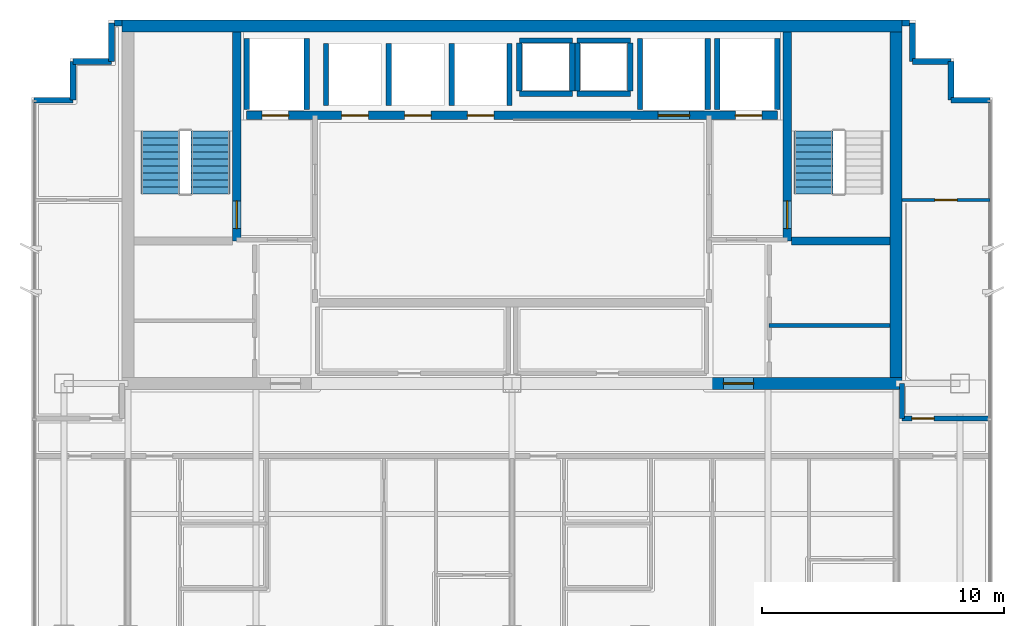
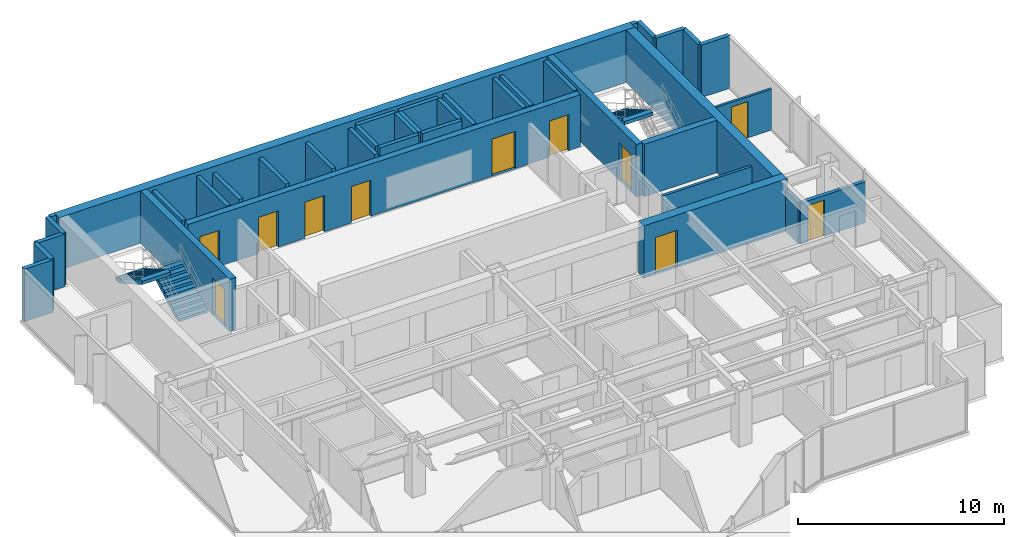
# One storey, part 9 of 12: 39 walls, 11 doors, 3 stair flights, 11 openings, 2 elements without a shape of their own.
"""IFC4 building model written with IfcOpenShell, lengths in metres."""

from ifc_helpers import new_model, si_unit, direction, frame, frame_2d, origin, place, context, subcontext, project, spatial, polyline, rectangle, outline, extrude, material, layer, layer_set, type_object, element, fill, aggregate, save


model = new_model("IFC4")

# Units and contexts
model_context = context("Model", 3, precision=1e-05, world=origin(), true_north=direction((0.0, 1.0)))
body_context = subcontext(model_context, "Body", "Model", "MODEL_VIEW")
ifc_project = project(units=[si_unit("LENGTHUNIT", "METRE"), si_unit("AREAUNIT", "SQUARE_METRE"), si_unit("VOLUMEUNIT", "CUBIC_METRE"), si_unit("PLANEANGLEUNIT", "RADIAN"), si_unit("MASSUNIT", "GRAM", prefix="KILO")], contexts=[model_context])

# Site, building, storey
site_placement = place(None, origin())
site = spatial("IfcSite", under=ifc_project, at=site_placement, CompositionType="ELEMENT")
building_placement = place(site_placement, origin())
building = spatial("IfcBuilding", under=site, at=building_placement, Name="Qianlan Lanfeng Residences", CompositionType="ELEMENT")
storey_placement = place(building_placement, frame((0.0, 0.0, 219.800048828125)))
storey = spatial("IfcBuildingStorey", under=building, at=storey_placement, Name="L60", CompositionType="ELEMENT", Elevation=219.800048828125)

# Wall, opening, door
ifc_material_1 = material(Name="Concrete C49", Category="concrete")
ifc_layer_1 = layer(ifc_material_1, 0.35009765625)
ifc_layer_set_1 = layer_set([ifc_layer_1], Name="Concrete C49")
wall_type_1 = type_object("IfcWallType", Name="CW-RC-350", PredefinedType="SHEAR", material=ifc_layer_set_1)
wall_1_placement = place(storey_placement, frame((15.10009765625, 31.10009765625, 0.0), z_axis=(0.0, 0.0, 1.0), x_axis=(0.0, 1.0, 0.0)))
wall_1 = element("IfcWall", 1, at=wall_1_placement, inside=storey, type_object=wall_type_1, Name="L60 Core Shear Wall ST1E", PredefinedType="SHEAR", context=body_context, shape_type="SweptSolid", body=[
    extrude(rectangle(XDim=8.64990234375, YDim=0.35009765625, at=frame_2d((4.324951171875, 0.0))), origin(), (0.0, 0.0, 1.0), 3.10986328125),
])
opening_1_placement = place(wall_1_placement, frame((0.510009765625, 0.0, 0.0)))
opening_1 = element("IfcOpeningElement", 2, at=opening_1_placement, cuts=wall_1, Name="Opening L60-D07", PredefinedType="OPENING", context=body_context, shape_type="SweptSolid", body=[
    extrude(rectangle(XDim=1.14990234375, YDim=2.199951171875, at=frame_2d((0.574951171875, 1.10009765625))), frame((0.0, 0.18505859375, 0.0), z_axis=(0.0, -1.0, 0.0), x_axis=(1.0, 0.0, 0.0)), (0.0, 0.0, 1.0), 0.3701171875),
])
ifc_material_2 = material(Name="Painted Galvanised Steel Fire Door", Category="steel")
door_type_1 = type_object("IfcDoorType", Name="DT-ST1", OperationType="NOTDEFINED", PredefinedType="DOOR", material=ifc_material_2)
door_1_placement = place(opening_1_placement, frame((1.14990234375, 0.0, 0.0), z_axis=(0.0, 0.0, 1.0), x_axis=(-1.0, 0.0, 0.0)))
door_1 = element("IfcDoor", 3, at=door_1_placement, inside=storey, type_object=door_type_1, Name="L60 Exit Stair ST-1 Door L60-D07 (DT-ST1)", OperationType="SINGLE_SWING_RIGHT", OverallHeight=2.199951171875, OverallWidth=1.14990234375, PredefinedType="DOOR", context=body_context, shape_type="SweptSolid", body=[
    extrude(rectangle(XDim=1.14990234375, YDim=2.199951171875, at=frame_2d((0.574951171875, 1.10009765625))), frame((0.0, 0.02490234375, 0.0), z_axis=(0.0, -1.0, 0.0), x_axis=(1.0, 0.0, 0.0)), (0.0, 0.0, 1.0), 0.050048828125),
])
fill(opening_1, door_1)

wall_2_placement = place(storey_placement, frame((37.89990234375, 31.10009765625, 0.0), z_axis=(0.0, 0.0, 1.0), x_axis=(0.0, 1.0, 0.0)))
wall_2 = element("IfcWall", 4, at=wall_2_placement, inside=storey, type_object=wall_type_1, Name="L60 Core Shear Wall ST2W", PredefinedType="SHEAR", context=body_context, shape_type="SweptSolid", body=[
    extrude(rectangle(XDim=8.64990234375, YDim=0.35009765625, at=frame_2d((4.324951171875, 0.0))), origin(), (0.0, 0.0, 1.0), 3.10986328125),
])
opening_2_placement = place(wall_2_placement, frame((0.510009765625, 0.0, 0.0)))
opening_2 = element("IfcOpeningElement", 5, at=opening_2_placement, cuts=wall_2, Name="Opening L60-D08", PredefinedType="OPENING", context=body_context, shape_type="SweptSolid", body=[
    extrude(rectangle(XDim=1.14990234375, YDim=2.199951171875, at=frame_2d((0.574951171875, 1.10009765625))), frame((0.0, 0.18505859375, 0.0), z_axis=(0.0, -1.0, 0.0), x_axis=(1.0, 0.0, 0.0)), (0.0, 0.0, 1.0), 0.3701171875),
])
door_2_placement = place(opening_2_placement, origin())
door_2 = element("IfcDoor", 6, at=door_2_placement, inside=storey, type_object=door_type_1, Name="L60 Exit Stair ST-2 Door L60-D08 (DT-ST1)", OperationType="SINGLE_SWING_RIGHT", OverallHeight=2.199951171875, OverallWidth=1.14990234375, PredefinedType="DOOR", context=body_context, shape_type="SweptSolid", body=[
    extrude(rectangle(XDim=1.14990234375, YDim=2.199951171875, at=frame_2d((0.574951171875, 1.10009765625))), frame((0.0, 0.02490234375, 0.0), z_axis=(0.0, -1.0, 0.0), x_axis=(1.0, 0.0, 0.0)), (0.0, 0.0, 1.0), 0.050048828125),
])
fill(opening_2, door_2)

# Wall
wall_3_placement = place(storey_placement, frame((38.074951171875, 31.10009765625, 0.0), z_axis=(0.0, 0.0, 1.0), x_axis=(1.0, 0.0, 0.0)))
element("IfcWall", 7, at=wall_3_placement, inside=storey, type_object=wall_type_1, Name="L60 Core Shear Wall ST2S", PredefinedType="SHEAR", context=body_context, shape_type="SweptSolid", body=[
    extrude(rectangle(XDim=4.074951171875, YDim=0.35009765625, at=frame_2d((2.03759765625, 0.0))), origin(), (0.0, 0.0, 1.0), 3.10986328125),
])

# Wall, openings, doors
wall_4_placement = place(storey_placement, frame((15.5, 36.300048828125, 0.0), z_axis=(0.0, 0.0, 1.0), x_axis=(1.0, 0.0, 0.0)))
wall_4 = element("IfcWall", 8, at=wall_4_placement, inside=storey, type_object=wall_type_1, Name="L60 Core Shear Wall LBN", PredefinedType="SHEAR", context=body_context, shape_type="SweptSolid", body=[
    extrude(rectangle(XDim=22.0, YDim=0.35009765625, at=frame_2d((11.0, 0.0))), origin(), (0.0, 0.0, 1.0), 3.10986328125),
])
opening_3_placement = place(wall_4_placement, frame((0.64990234375, 0.0, 0.0)))
opening_3 = element("IfcOpeningElement", 9, at=opening_3_placement, cuts=wall_4, Name="Opening L60-LD-FFL-1", PredefinedType="OPENING", context=body_context, shape_type="SweptSolid", body=[
    extrude(rectangle(XDim=1.10009765625, YDim=2.14990234375, at=frame_2d((0.550048828125, 1.074951171875))), frame((0.0, 0.18505859375, 0.0), z_axis=(0.0, -1.0, 0.0), x_axis=(1.0, 0.0, 0.0)), (0.0, 0.0, 1.0), 0.3701171875),
])
opening_4_placement = place(wall_4_placement, frame((20.25, 0.0, 0.0)))
opening_4 = element("IfcOpeningElement", 10, at=opening_4_placement, cuts=wall_4, Name="Opening L60-LD-FFL-2", PredefinedType="OPENING", context=body_context, shape_type="SweptSolid", body=[
    extrude(rectangle(XDim=1.10009765625, YDim=2.14990234375, at=frame_2d((0.550048828125, 1.074951171875))), frame((0.0, 0.18505859375, 0.0), z_axis=(0.0, -1.0, 0.0), x_axis=(1.0, 0.0, 0.0)), (0.0, 0.0, 1.0), 0.3701171875),
])
opening_5_placement = place(wall_4_placement, frame((17.050048828125, 0.0, 0.0)))
opening_5 = element("IfcOpeningElement", 11, at=opening_5_placement, cuts=wall_4, Name="Opening L60-LD-SVL-1", PredefinedType="OPENING", context=body_context, shape_type="SweptSolid", body=[
    extrude(rectangle(XDim=1.300048828125, YDim=2.199951171875, at=frame_2d((0.64990234375, 1.10009765625))), frame((0.0, 0.18505859375, 0.0), z_axis=(0.0, -1.0, 0.0), x_axis=(1.0, 0.0, 0.0)), (0.0, 0.0, 1.0), 0.3701171875),
])
opening_6_placement = place(wall_4_placement, frame((3.949951171875, 0.0, 0.0)))
opening_6 = element("IfcOpeningElement", 12, at=opening_6_placement, cuts=wall_4, Name="Opening L60-LD-PL-H1", PredefinedType="OPENING", context=body_context, shape_type="SweptSolid", body=[
    extrude(rectangle(XDim=1.10009765625, YDim=2.14990234375, at=frame_2d((0.550048828125, 1.074951171875))), frame((0.0, 0.18505859375, 0.0), z_axis=(0.0, -1.0, 0.0), x_axis=(1.0, 0.0, 0.0)), (0.0, 0.0, 1.0), 0.3701171875),
])
opening_7_placement = place(wall_4_placement, frame((6.550048828125, 0.0, 0.0)))
opening_7 = element("IfcOpeningElement", 13, at=opening_7_placement, cuts=wall_4, Name="Opening L60-LD-PL-H2", PredefinedType="OPENING", context=body_context, shape_type="SweptSolid", body=[
    extrude(rectangle(XDim=1.10009765625, YDim=2.14990234375, at=frame_2d((0.550048828125, 1.074951171875))), frame((0.0, 0.18505859375, 0.0), z_axis=(0.0, -1.0, 0.0), x_axis=(1.0, 0.0, 0.0)), (0.0, 0.0, 1.0), 0.3701171875),
])
opening_8_placement = place(wall_4_placement, frame((9.14990234375, 0.0, 0.0)))
opening_8 = element("IfcOpeningElement", 14, at=opening_8_placement, cuts=wall_4, Name="Opening L60-LD-PL-H3", PredefinedType="OPENING", context=body_context, shape_type="SweptSolid", body=[
    extrude(rectangle(XDim=1.10009765625, YDim=2.14990234375, at=frame_2d((0.550048828125, 1.074951171875))), frame((0.0, 0.18505859375, 0.0), z_axis=(0.0, -1.0, 0.0), x_axis=(1.0, 0.0, 0.0)), (0.0, 0.0, 1.0), 0.3701171875),
])
ifc_material_3 = material(Name="Brushed Stainless Steel Sliding Lift Door", Category="steel")
door_type_2 = type_object("IfcDoorType", Name="LD-01", OperationType="NOTDEFINED", PredefinedType="DOOR", material=ifc_material_3)
door_3_placement = place(opening_3_placement, frame((1.10009765625, 0.0, 0.0), z_axis=(0.0, 0.0, 1.0), x_axis=(-1.0, 0.0, 0.0)))
door_3 = element("IfcDoor", 15, at=door_3_placement, inside=storey, type_object=door_type_2, Name="L60 Elevator FFL-1 Sliding Landing Door", OperationType="DOUBLE_DOOR_SLIDING", OverallHeight=2.14990234375, OverallWidth=1.10009765625, PredefinedType="DOOR", context=body_context, shape_type="SweptSolid", body=[
    extrude(rectangle(XDim=1.10009765625, YDim=2.14990234375, at=frame_2d((0.550048828125, 1.074951171875))), frame((0.0, 0.02490234375, 0.0), z_axis=(0.0, -1.0, 0.0), x_axis=(1.0, 0.0, 0.0)), (0.0, 0.0, 1.0), 0.050048828125),
])
fill(opening_3, door_3)
door_4_placement = place(opening_4_placement, frame((1.10009765625, 0.0, 0.0), z_axis=(0.0, 0.0, 1.0), x_axis=(-1.0, 0.0, 0.0)))
door_4 = element("IfcDoor", 16, at=door_4_placement, inside=storey, type_object=door_type_2, Name="L60 Elevator FFL-2 Sliding Landing Door", OperationType="DOUBLE_DOOR_SLIDING", OverallHeight=2.14990234375, OverallWidth=1.10009765625, PredefinedType="DOOR", context=body_context, shape_type="SweptSolid", body=[
    extrude(rectangle(XDim=1.10009765625, YDim=2.14990234375, at=frame_2d((0.550048828125, 1.074951171875))), frame((0.0, 0.02490234375, 0.0), z_axis=(0.0, -1.0, 0.0), x_axis=(1.0, 0.0, 0.0)), (0.0, 0.0, 1.0), 0.050048828125),
])
fill(opening_4, door_4)
door_5_placement = place(opening_6_placement, frame((1.10009765625, 0.0, 0.0), z_axis=(0.0, 0.0, 1.0), x_axis=(-1.0, 0.0, 0.0)))
door_5 = element("IfcDoor", 17, at=door_5_placement, inside=storey, type_object=door_type_2, Name="L60 Elevator PL-H1 Sliding Landing Door", OperationType="DOUBLE_DOOR_SLIDING", OverallHeight=2.14990234375, OverallWidth=1.10009765625, PredefinedType="DOOR", context=body_context, shape_type="SweptSolid", body=[
    extrude(rectangle(XDim=1.10009765625, YDim=2.14990234375, at=frame_2d((0.550048828125, 1.074951171875))), frame((0.0, 0.02490234375, 0.0), z_axis=(0.0, -1.0, 0.0), x_axis=(1.0, 0.0, 0.0)), (0.0, 0.0, 1.0), 0.050048828125),
])
fill(opening_6, door_5)
door_6_placement = place(opening_7_placement, frame((1.10009765625, 0.0, 0.0), z_axis=(0.0, 0.0, 1.0), x_axis=(-1.0, 0.0, 0.0)))
door_6 = element("IfcDoor", 18, at=door_6_placement, inside=storey, type_object=door_type_2, Name="L60 Elevator PL-H2 Sliding Landing Door", OperationType="DOUBLE_DOOR_SLIDING", OverallHeight=2.14990234375, OverallWidth=1.10009765625, PredefinedType="DOOR", context=body_context, shape_type="SweptSolid", body=[
    extrude(rectangle(XDim=1.10009765625, YDim=2.14990234375, at=frame_2d((0.550048828125, 1.074951171875))), frame((0.0, 0.02490234375, 0.0), z_axis=(0.0, -1.0, 0.0), x_axis=(1.0, 0.0, 0.0)), (0.0, 0.0, 1.0), 0.050048828125),
])
fill(opening_7, door_6)
door_7_placement = place(opening_8_placement, frame((1.10009765625, 0.0, 0.0), z_axis=(0.0, 0.0, 1.0), x_axis=(-1.0, 0.0, 0.0)))
door_7 = element("IfcDoor", 19, at=door_7_placement, inside=storey, type_object=door_type_2, Name="L60 Elevator PL-H3 Sliding Landing Door", OperationType="DOUBLE_DOOR_SLIDING", OverallHeight=2.14990234375, OverallWidth=1.10009765625, PredefinedType="DOOR", context=body_context, shape_type="SweptSolid", body=[
    extrude(rectangle(XDim=1.10009765625, YDim=2.14990234375, at=frame_2d((0.550048828125, 1.074951171875))), frame((0.0, 0.02490234375, 0.0), z_axis=(0.0, -1.0, 0.0), x_axis=(1.0, 0.0, 0.0)), (0.0, 0.0, 1.0), 0.050048828125),
])
fill(opening_8, door_7)
door_type_3 = type_object("IfcDoorType", Name="LD-02", OperationType="NOTDEFINED", PredefinedType="DOOR", material=ifc_material_3)
door_8_placement = place(opening_5_placement, frame((1.300048828125, 0.0, 0.0), z_axis=(0.0, 0.0, 1.0), x_axis=(-1.0, 0.0, 0.0)))
door_8 = element("IfcDoor", 20, at=door_8_placement, inside=storey, type_object=door_type_3, Name="L60 Elevator SVL-1 Sliding Landing Door", OperationType="DOUBLE_DOOR_SLIDING", OverallHeight=2.199951171875, OverallWidth=1.300048828125, PredefinedType="DOOR", context=body_context, shape_type="SweptSolid", body=[
    extrude(rectangle(XDim=1.300048828125, YDim=2.199951171875, at=frame_2d((0.64990234375, 1.10009765625))), frame((0.0, 0.02490234375, 0.0), z_axis=(0.0, -1.0, 0.0), x_axis=(1.0, 0.0, 0.0)), (0.0, 0.0, 1.0), 0.050048828125),
])
fill(opening_5, door_8)

# Walls
ifc_material_4 = material(Name="Concrete C70", Category="concrete")
ifc_layer_2 = layer(ifc_material_4, 0.5)
ifc_layer_set_2 = layer_set([ifc_layer_2], Name="Concrete C70")
wall_type_2 = type_object("IfcWallType", Name="CW-RC-500", PredefinedType="SHEAR", material=ifc_layer_set_2)
wall_5_placement = place(storey_placement, frame((10.35009765625, 40.0, 0.0), z_axis=(0.0, 0.0, 1.0), x_axis=(1.0, 0.0, 0.0)))
element("IfcWall", 21, at=wall_5_placement, inside=storey, type_object=wall_type_2, Name="L60 Core Shear Wall N", PredefinedType="SHEAR", context=body_context, shape_type="SweptSolid", body=[
    extrude(rectangle(XDim=32.2998046875, YDim=0.5, at=frame_2d((16.14990234375, 0.0))), origin(), (0.0, 0.0, 1.0), 3.10986328125),
])
wall_6_placement = place(storey_placement, frame((42.39990234375, 25.449951171875, 0.0), z_axis=(0.0, 0.0, 1.0), x_axis=(0.0, 1.0, 0.0)))
element("IfcWall", 22, at=wall_6_placement, inside=storey, type_object=wall_type_2, Name="L60 Core Shear Wall E", PredefinedType="SHEAR", context=body_context, shape_type="SweptSolid", body=[
    extrude(rectangle(XDim=14.300048828125, YDim=0.5, at=frame_2d((7.14990234375, 0.0))), origin(), (0.0, 0.0, 1.0), 3.10986328125),
])

# Wall, opening, door
wall_7_placement = place(storey_placement, frame((34.60009765625, 25.199951171875, 0.0), z_axis=(0.0, 0.0, 1.0), x_axis=(1.0, 0.0, 0.0)))
wall_7 = element("IfcWall", 23, at=wall_7_placement, inside=storey, type_object=wall_type_2, Name="L60 Core Shear Wall SE", PredefinedType="SHEAR", context=body_context, shape_type="SweptSolid", body=[
    extrude(rectangle(XDim=8.0498046875, YDim=0.5, at=frame_2d((4.02490234375, 0.0))), origin(), (0.0, 0.0, 1.0), 3.10986328125),
])
opening_9_placement = place(wall_7_placement, frame((0.64990234375, 0.0, 0.0)))
opening_9 = element("IfcOpeningElement", 24, at=opening_9_placement, cuts=wall_7, Name="Opening L60-D02", PredefinedType="OPENING", context=body_context, shape_type="SweptSolid", body=[
    extrude(rectangle(XDim=1.25, YDim=2.199951171875, at=frame_2d((0.625, 1.10009765625))), frame((0.0, 0.260009765625, 0.0), z_axis=(0.0, -1.0, 0.0), x_axis=(1.0, 0.0, 0.0)), (0.0, 0.0, 1.0), 0.52001953125),
])
door_type_4 = type_object("IfcDoorType", Name="DT-FFL", OperationType="NOTDEFINED", PredefinedType="DOOR", material=ifc_material_2)
door_9_placement = place(opening_9_placement, origin())
door_9 = element("IfcDoor", 25, at=door_9_placement, inside=storey, type_object=door_type_4, Name="L60 East Core Lobby Smoke Door L60-D02 (DT-FFL)", OperationType="SINGLE_SWING_LEFT", OverallHeight=2.199951171875, OverallWidth=1.25, PredefinedType="DOOR", context=body_context, shape_type="SweptSolid", body=[
    extrude(rectangle(XDim=1.25, YDim=2.199951171875, at=frame_2d((0.625, 1.10009765625))), frame((0.0, 0.02490234375, 0.0), z_axis=(0.0, -1.0, 0.0), x_axis=(1.0, 0.0, 0.0)), (0.0, 0.0, 1.0), 0.050048828125),
])
fill(opening_9, door_9)

# Walls
ifc_material_5 = material(Name="Concrete C42", Category="concrete")
ifc_layer_3 = layer(ifc_material_5, 0.239990234375)
ifc_layer_set_3 = layer_set([ifc_layer_3], Name="Concrete C42")
wall_type_3 = type_object("IfcWallType", Name="EW-240", PredefinedType="SOLIDWALL", material=ifc_layer_set_3)
for number, where, z_axis, x_axis, name in (
    (26, (46.280029296875, 36.929931640625, 0.0), (0.0, 0.0, 1.0), (-1.0, 0.0, 0.0), "L60 Exterior Facade Spandrel Wall 13"),
    (27, (44.679931640625, 36.929931640625, 0.0), (0.0, 0.0, 1.0), (0.0, 1.0, 0.0), "L60 Exterior Facade Spandrel Wall 14"),
):
    element("IfcWall", number, at=place(storey_placement, frame(where, z_axis=z_axis, x_axis=x_axis)), inside=storey, type_object=wall_type_3, Name=name, PredefinedType="SOLIDWALL", context=body_context, shape_type="SweptSolid", body=[
        extrude(rectangle(XDim=1.60009765625, YDim=0.239990234375, at=frame_2d((0.800048828125, 0.0))), origin(), (0.0, 0.0, 1.0), 3.10986328125),
    ])
for number, where, z_axis, x_axis, name in (
    (28, (44.679931640625, 38.530029296875, 0.0), (0.0, 0.0, 1.0), (-1.0, 0.0, 0.0), "L60 Exterior Facade Spandrel Wall 15"),
    (29, (43.080078125, 38.530029296875, 0.0), (0.0, 0.0, 1.0), (0.0, 1.0, 0.0), "L60 Exterior Facade Spandrel Wall 16"),
):
    element("IfcWall", number, at=place(storey_placement, frame(where, z_axis=z_axis, x_axis=x_axis)), inside=storey, type_object=wall_type_3, Name=name, PredefinedType="SOLIDWALL", context=body_context, shape_type="SweptSolid", body=[
        extrude(rectangle(XDim=1.599853515625, YDim=0.239990234375, at=frame_2d((0.7998046875, 0.0))), origin(), (0.0, 0.0, 1.0), 3.10986328125),
    ])
for number, where, z_axis, x_axis, name in (
    (30, (42.949951171875, 40.1298828125, 0.0), (0.0, 0.0, 1.0), (-1.0, 0.0, 0.0), "L60 North Wing Exterior Wall E"),
    (31, (10.35009765625, 40.1298828125, 0.0), (0.0, 0.0, 1.0), (-1.0, 0.0, 0.0), "L60 North Wing Exterior Wall W"),
):
    element("IfcWall", number, at=place(storey_placement, frame(where, z_axis=z_axis, x_axis=x_axis)), inside=storey, type_object=wall_type_3, Name=name, PredefinedType="SOLIDWALL", context=body_context, shape_type="SweptSolid", body=[
        extrude(rectangle(XDim=0.300048828125, YDim=0.239990234375, at=frame_2d((0.14990234375, 0.0))), origin(), (0.0, 0.0, 1.0), 3.10986328125),
    ])
for number, where, z_axis, x_axis, name in (
    (32, (9.919921875, 40.1298828125, 0.0), (0.0, 0.0, 1.0), (0.0, -1.0, 0.0), "L60 Exterior Facade Spandrel Wall 19"),
    (33, (9.919921875, 38.530029296875, 0.0), (0.0, 0.0, 1.0), (-1.0, 0.0, 0.0), "L60 Exterior Facade Spandrel Wall 20"),
):
    element("IfcWall", number, at=place(storey_placement, frame(where, z_axis=z_axis, x_axis=x_axis)), inside=storey, type_object=wall_type_3, Name=name, PredefinedType="SOLIDWALL", context=body_context, shape_type="SweptSolid", body=[
        extrude(rectangle(XDim=1.599853515625, YDim=0.239990234375, at=frame_2d((0.7998046875, 0.0))), origin(), (0.0, 0.0, 1.0), 3.10986328125),
    ])
for number, where, z_axis, x_axis, name in (
    (34, (8.320068359375, 38.530029296875, 0.0), (0.0, 0.0, 1.0), (0.0, -1.0, 0.0), "L60 Exterior Facade Spandrel Wall 21"),
    (35, (8.320068359375, 36.929931640625, 0.0), (0.0, 0.0, 1.0), (-1.0, 0.0, 0.0), "L60 Exterior Facade Spandrel Wall 22"),
):
    element("IfcWall", number, at=place(storey_placement, frame(where, z_axis=z_axis, x_axis=x_axis)), inside=storey, type_object=wall_type_3, Name=name, PredefinedType="SOLIDWALL", context=body_context, shape_type="SweptSolid", body=[
        extrude(rectangle(XDim=1.60009765625, YDim=0.239990234375, at=frame_2d((0.800048828125, 0.0))), origin(), (0.0, 0.0, 1.0), 3.10986328125),
    ])

# Wall, opening, door
ifc_material_6 = material(Name="Moisture-Resistant Gypsum Partition 135 mm")
ifc_layer_4 = layer(ifc_material_6, 0.135009765625)
ifc_layer_set_4 = layer_set([ifc_layer_4], Name="Moisture-Resistant Gypsum Partition 135 mm")
wall_type_4 = type_object("IfcWallType", Name="PW-135", PredefinedType="PARTITIONING", material=ifc_layer_set_4)
wall_8_placement = place(storey_placement, frame((42.64990234375, 32.800048828125, 0.0), z_axis=(0.0, 0.0, 1.0), x_axis=(1.0, 0.0, 0.0)))
wall_8 = element("IfcWall", 36, at=wall_8_placement, inside=storey, type_object=wall_type_4, Name="L60 EW North Wing Wall", PredefinedType="PARTITIONING", context=body_context, shape_type="SweptSolid", body=[
    extrude(rectangle(XDim=3.630126953125, YDim=0.135009765625, at=frame_2d((1.81494140625, 0.0))), origin(), (0.0, 0.0, 1.0), 2.429931640625),
])
opening_10_placement = place(wall_8_placement, frame((1.35498046875, 0.0, 0.0)))
opening_10 = element("IfcOpeningElement", 37, at=opening_10_placement, cuts=wall_8, Name="Opening L60-D43", PredefinedType="OPENING", context=body_context, shape_type="SweptSolid", body=[
    extrude(rectangle(XDim=0.919921875, YDim=2.14990234375, at=frame_2d((0.4599609375, 1.074951171875))), frame((0.0, 0.07763671875, 0.0), z_axis=(0.0, -1.0, 0.0), x_axis=(1.0, 0.0, 0.0)), (0.0, 0.0, 1.0), 0.155029296875),
])
ifc_material_7 = material(Name="Glazed Timber Kitchen/Study Door", Category="wood")
door_type_5 = type_object("IfcDoorType", Name="DT-INT", OperationType="NOTDEFINED", PredefinedType="DOOR", material=ifc_material_7)
door_10_placement = place(opening_10_placement, origin())
door_10 = element("IfcDoor", 38, at=door_10_placement, inside=storey, type_object=door_type_5, Name="L60 EW Inner Salon Door L60-D43 (DT-INT)", OperationType="SINGLE_SWING_RIGHT", OverallHeight=2.14990234375, OverallWidth=0.919921875, PredefinedType="DOOR", context=body_context, shape_type="SweptSolid", body=[
    extrude(rectangle(XDim=0.919921875, YDim=2.14990234375, at=frame_2d((0.4599609375, 1.074951171875))), frame((0.0, 0.02490234375, 0.0), z_axis=(0.0, -1.0, 0.0), x_axis=(1.0, 0.0, 0.0)), (0.0, 0.0, 1.0), 0.050048828125),
])
fill(opening_10, door_10)

# Wall
ifc_material_8 = material(Name="Acoustic Drywall Partition 150 mm")
ifc_layer_5 = layer(ifc_material_8, 0.14990234375)
ifc_layer_set_5 = layer_set([ifc_layer_5], Name="Acoustic Drywall Partition 150 mm")
wall_type_5 = type_object("IfcWallType", Name="PW-150", PredefinedType="PARTITIONING", material=ifc_layer_set_5)
wall_9_placement = place(storey_placement, frame((37.14990234375, 27.60009765625, 0.0), z_axis=(0.0, 0.0, 1.0), x_axis=(1.0, 0.0, 0.0)))
element("IfcWall", 39, at=wall_9_placement, inside=storey, type_object=wall_type_5, Name="L60 Core East Split", PredefinedType="PARTITIONING", context=body_context, shape_type="SweptSolid", body=[
    extrude(rectangle(XDim=5.0, YDim=0.14990234375, at=frame_2d((2.5, 0.0))), origin(), (0.0, 0.0, 1.0), 2.429931640625),
])

# Wall, opening, door
ifc_material_9 = material(Name="Autoclaved Aerated Concrete Blockwork 200 mm", Category="masonry")
ifc_layer_6 = layer(ifc_material_9, 0.199951171875)
ifc_layer_set_6 = layer_set([ifc_layer_6], Name="Autoclaved Aerated Concrete Blockwork 200 mm")
wall_type_6 = type_object("IfcWallType", Name="PW-200", PredefinedType="PARTITIONING", material=ifc_layer_set_6)
wall_10_placement = place(storey_placement, frame((42.64990234375, 23.75, 0.0), z_axis=(0.0, 0.0, 1.0), x_axis=(1.0, 0.0, 0.0)))
wall_10 = element("IfcWall", 40, at=wall_10_placement, inside=storey, type_object=wall_type_6, Name="L60 Corridor NE Wall", PredefinedType="PARTITIONING", context=body_context, shape_type="SweptSolid", body=[
    extrude(rectangle(XDim=3.630126953125, YDim=0.199951171875, at=frame_2d((1.81494140625, 0.0))), origin(), (0.0, 0.0, 1.0), 2.429931640625),
])
opening_11_placement = place(wall_10_placement, frame((0.405029296875, 0.0, 0.0)))
opening_11 = element("IfcOpeningElement", 41, at=opening_11_placement, cuts=wall_10, Name="Opening L60-D44", PredefinedType="OPENING", context=body_context, shape_type="SweptSolid", body=[
    extrude(rectangle(XDim=0.919921875, YDim=2.14990234375, at=frame_2d((0.4599609375, 1.074951171875))), frame((0.0, 0.10986328125, 0.0), z_axis=(0.0, -1.0, 0.0), x_axis=(1.0, 0.0, 0.0)), (0.0, 0.0, 1.0), 0.219970703125),
])
door_11_placement = place(opening_11_placement, origin())
door_11 = element("IfcDoor", 42, at=door_11_placement, inside=storey, type_object=door_type_5, Name="L60 EW Amenity Salon Door L60-D44 (DT-INT)", OperationType="SINGLE_SWING_RIGHT", OverallHeight=2.14990234375, OverallWidth=0.919921875, PredefinedType="DOOR", context=body_context, shape_type="SweptSolid", body=[
    extrude(rectangle(XDim=0.919921875, YDim=2.14990234375, at=frame_2d((0.4599609375, 1.074951171875))), frame((0.0, 0.02490234375, 0.0), z_axis=(0.0, -1.0, 0.0), x_axis=(1.0, 0.0, 0.0)), (0.0, 0.0, 1.0), 0.050048828125),
])
fill(opening_11, door_11)

# Walls
wall_11_placement = place(storey_placement, frame((42.64990234375, 23.75, 0.0), z_axis=(0.0, 0.0, 1.0), x_axis=(0.0, 1.0, 0.0)))
element("IfcWall", 43, at=wall_11_placement, inside=storey, type_object=wall_type_6, Name="L60 NE Wing Core Return Wall", PredefinedType="PARTITIONING", context=body_context, shape_type="SweptSolid", body=[
    extrude(rectangle(XDim=1.449951171875, YDim=0.199951171875, at=frame_2d((0.72509765625, 0.0))), origin(), (0.0, 0.0, 1.0), 2.429931640625),
])
ifc_layer_7 = layer(ifc_material_1, 0.219970703125)
ifc_layer_set_7 = layer_set([ifc_layer_7], Name="Concrete C49")
wall_type_7 = type_object("IfcWallType", Name="SHW-220", PredefinedType="SOLIDWALL", material=ifc_layer_set_7)
for number, where, z_axis, x_axis, name in (
    (44, (15.52001953125, 36.550048828125, 0.0), (0.0, 0.0, 1.0), (0.0, 1.0, 0.0), "L60 Lift FFL-1 Shaft Wall W"),
    (45, (18.0, 36.550048828125, 0.0), (0.0, 0.0, 1.0), (0.0, 1.0, 0.0), "L60 Lift FFL-1 Shaft Wall E"),
    (46, (35.0, 36.550048828125, 0.0), (0.0, 0.0, 1.0), (0.0, 1.0, 0.0), "L60 Lift FFL-2 Shaft Wall W"),
    (47, (37.47998046875, 36.550048828125, 0.0), (0.0, 0.0, 1.0), (0.0, 1.0, 0.0), "L60 Lift FFL-2 Shaft Wall E"),
    (48, (31.800048828125, 36.550048828125, 0.0), (0.0, 0.0, 1.0), (0.0, 1.0, 0.0), "L60 Lift SVL-1 Shaft Wall W"),
    (49, (34.60009765625, 36.550048828125, 0.0), (0.0, 0.0, 1.0), (0.0, 1.0, 0.0), "L60 Lift SVL-1 Shaft Wall E"),
):
    element("IfcWall", number, at=place(storey_placement, frame(where, z_axis=z_axis, x_axis=x_axis)), inside=storey, type_object=wall_type_7, Name=name, PredefinedType="SOLIDWALL", context=body_context, shape_type="SweptSolid", body=[
        extrude(rectangle(XDim=2.929931640625, YDim=0.219970703125, at=frame_2d((1.46484375, 0.0))), origin(), (0.0, 0.0, 1.0), 3.10986328125),
    ])
for number, where, z_axis, x_axis, name in (
    (50, (18.800048828125, 36.719970703125, 0.0), (0.0, 0.0, 1.0), (0.0, 1.0, 0.0), "L60 Lift PL-H1 Shaft Wall W"),
    (51, (21.39990234375, 36.719970703125, 0.0), (0.0, 0.0, 1.0), (0.0, 1.0, 0.0), "L60 Lift PL-H2 Shaft Wall W"),
    (52, (24.0, 36.719970703125, 0.0), (0.0, 0.0, 1.0), (0.0, 1.0, 0.0), "L60 Lift PL-H3 Shaft Wall W"),
    (53, (26.39990234375, 36.719970703125, 0.0), (0.0, 0.0, 1.0), (0.0, 1.0, 0.0), "L60 Lift PL-H3 Shaft Wall E"),
):
    element("IfcWall", number, at=place(storey_placement, frame(where, z_axis=z_axis, x_axis=x_axis)), inside=storey, type_object=wall_type_7, Name=name, PredefinedType="SOLIDWALL", context=body_context, shape_type="SweptSolid", body=[
        extrude(rectangle(XDim=2.56005859375, YDim=0.219970703125, at=frame_2d((1.280029296875, 0.0))), origin(), (0.0, 0.0, 1.0), 3.10986328125),
    ])
for number, where, z_axis, x_axis, name in (
    (54, (26.800048828125, 37.31005859375, 0.0), (0.0, 0.0, 1.0), (0.0, 1.0, 0.0), "L60 MEP Riser MEP-R1 Shaft Wall W"),
    (55, (29.0, 37.31005859375, 0.0), (0.0, 0.0, 1.0), (0.0, 1.0, 0.0), "L60 MEP Riser MEP-R1 Shaft Wall E"),
):
    element("IfcWall", number, at=place(storey_placement, frame(where, z_axis=z_axis, x_axis=x_axis)), inside=storey, type_object=wall_type_7, Name=name, PredefinedType="SOLIDWALL", context=body_context, shape_type="SweptSolid", body=[
        extrude(rectangle(XDim=1.97998046875, YDim=0.219970703125, at=frame_2d((0.989990234375, 0.0))), origin(), (0.0, 0.0, 1.0), 3.10986328125),
    ])
for number, where, z_axis, x_axis, name in (
    (56, (26.800048828125, 39.39990234375, 0.0), (0.0, 0.0, 1.0), (1.0, 0.0, 0.0), "L60 MEP Riser MEP-R1 Shaft Wall N"),
    (57, (26.800048828125, 37.199951171875, 0.0), (0.0, 0.0, 1.0), (1.0, 0.0, 0.0), "L60 MEP Riser MEP-R1 Shaft Wall S"),
):
    element("IfcWall", number, at=place(storey_placement, frame(where, z_axis=z_axis, x_axis=x_axis)), inside=storey, type_object=wall_type_7, Name=name, PredefinedType="SOLIDWALL", context=body_context, shape_type="SweptSolid", body=[
        extrude(rectangle(XDim=2.199951171875, YDim=0.219970703125, at=frame_2d((1.10009765625, 0.0))), origin(), (0.0, 0.0, 1.0), 3.10986328125),
    ])
for number, where, z_axis, x_axis, name in (
    (58, (29.199951171875, 37.31005859375, 0.0), (0.0, 0.0, 1.0), (0.0, 1.0, 0.0), "L60 MEP Riser MEP-R2 Shaft Wall W"),
    (59, (31.39990234375, 37.31005859375, 0.0), (0.0, 0.0, 1.0), (0.0, 1.0, 0.0), "L60 MEP Riser MEP-R2 Shaft Wall E"),
):
    element("IfcWall", number, at=place(storey_placement, frame(where, z_axis=z_axis, x_axis=x_axis)), inside=storey, type_object=wall_type_7, Name=name, PredefinedType="SOLIDWALL", context=body_context, shape_type="SweptSolid", body=[
        extrude(rectangle(XDim=1.97998046875, YDim=0.219970703125, at=frame_2d((0.989990234375, 0.0))), origin(), (0.0, 0.0, 1.0), 3.10986328125),
    ])
for number, where, z_axis, x_axis, name in (
    (60, (29.199951171875, 39.39990234375, 0.0), (0.0, 0.0, 1.0), (1.0, 0.0, 0.0), "L60 MEP Riser MEP-R2 Shaft Wall N"),
    (61, (29.199951171875, 37.199951171875, 0.0), (0.0, 0.0, 1.0), (1.0, 0.0, 0.0), "L60 MEP Riser MEP-R2 Shaft Wall S"),
):
    element("IfcWall", number, at=place(storey_placement, frame(where, z_axis=z_axis, x_axis=x_axis)), inside=storey, type_object=wall_type_7, Name=name, PredefinedType="SOLIDWALL", context=body_context, shape_type="SweptSolid", body=[
        extrude(rectangle(XDim=2.199951171875, YDim=0.219970703125, at=frame_2d((1.10009765625, 0.0))), origin(), (0.0, 0.0, 1.0), 3.10986328125),
    ])

# Stair, stair flights
stair_type = type_object("IfcStairType", Name="STR-MAIN", PredefinedType="HALF_TURN_STAIR", material=ifc_material_5)
stair_1_placement = place(storey_placement, origin())
stair_1 = element("IfcStair", 62, at=stair_1_placement, inside=storey, type_object=stair_type, Name="L60 Exit Stair ST-1", PredefinedType="HALF_TURN_STAIR")
stair_flight_type = type_object("IfcStairFlightType", Name="FLT-1720", PredefinedType="STRAIGHT", material=ifc_material_5)
stair_flight_1_placement = place(storey_placement, frame((14.02001953125, 33.050048828125, 0.0), z_axis=(0.0, 0.0, 1.0), x_axis=(0.0, 1.0, 0.0)))
stair_flight_1 = element("IfcStairFlight", 63, at=stair_flight_1_placement, type_object=stair_flight_type, Name="ST-1 flight 1", NumberOfRisers=10, NumberOfTreads=9, PredefinedType="STRAIGHT", RiserHeight=0.165, TreadLength=0.29, context=body_context, shape_type="SweptSolid", body=[
    extrude(outline(polyline([(0.0, 0.0), (0.0, 0.1650390625), (0.2900390625, 0.1650390625), (0.2900390625, 0.330078125), (0.580078125, 0.330078125), (0.580078125, 0.4951171875), (0.8701171875, 0.4951171875), (0.8701171875, 0.659912109375), (1.159912109375, 0.659912109375), (1.159912109375, 0.824951171875), (1.449951171875, 0.824951171875), (1.449951171875, 0.989990234375), (1.739990234375, 0.989990234375), (1.739990234375, 1.155029296875), (2.030029296875, 1.155029296875), (2.030029296875, 1.320068359375), (2.320068359375, 1.320068359375), (2.320068359375, 1.485107421875), (2.610107421875, 1.485107421875), (2.610107421875, 1.64990234375), (2.610107421875, 1.278076171875), (0.36376953125, 0.0), (0.0, 0.0)])), frame((0.0, 0.800048828125, 0.0), z_axis=(0.0, -1.0, 0.0), x_axis=(1.0, 0.0, 0.0)), (0.0, 0.0, 1.0), 1.60009765625),
])
stair_flight_2_placement = place(storey_placement, frame((11.93994140625, 35.659912109375, 1.64990234375), z_axis=(0.0, 0.0, 1.0), x_axis=(0.0, -1.0, 0.0)))
stair_flight_2 = element("IfcStairFlight", 64, at=stair_flight_2_placement, type_object=stair_flight_type, Name="ST-1 flight 2", NumberOfRisers=10, NumberOfTreads=9, PredefinedType="STRAIGHT", RiserHeight=0.165, TreadLength=0.29, context=body_context, shape_type="SweptSolid", body=[
    extrude(outline(polyline([(0.0, 0.0), (0.0, 0.1650390625), (0.2900390625, 0.1650390625), (0.2900390625, 0.330078125), (0.580078125, 0.330078125), (0.580078125, 0.4951171875), (0.8701171875, 0.4951171875), (0.8701171875, 0.659912109375), (1.159912109375, 0.659912109375), (1.159912109375, 0.824951171875), (1.449951171875, 0.824951171875), (1.449951171875, 0.989990234375), (1.739990234375, 0.989990234375), (1.739990234375, 1.155029296875), (2.030029296875, 1.155029296875), (2.030029296875, 1.320068359375), (2.320068359375, 1.320068359375), (2.320068359375, 1.485107421875), (2.610107421875, 1.485107421875), (2.610107421875, 1.64990234375), (2.610107421875, 1.278076171875), (0.36376953125, 0.0), (0.0, 0.0)])), frame((0.0, 0.800048828125, 0.0), z_axis=(0.0, -1.0, 0.0), x_axis=(1.0, 0.0, 0.0)), (0.0, 0.0, 1.0), 1.60009765625),
])
aggregate(stair_1, [stair_flight_1, stair_flight_2])

# Stair, stair flight
stair_2_placement = place(storey_placement, origin())
stair_2 = element("IfcStair", 65, at=stair_2_placement, inside=storey, type_object=stair_type, Name="L60 Exit Stair ST-2", PredefinedType="HALF_TURN_STAIR")
stair_flight_3_placement = place(storey_placement, frame((38.97998046875, 35.659912109375, 1.64990234375), z_axis=(0.0, 0.0, 1.0), x_axis=(0.0, -1.0, 0.0)))
stair_flight_3 = element("IfcStairFlight", 66, at=stair_flight_3_placement, type_object=stair_flight_type, Name="ST-2 flight 2", NumberOfRisers=10, NumberOfTreads=9, PredefinedType="STRAIGHT", RiserHeight=0.165, TreadLength=0.29, context=body_context, shape_type="SweptSolid", body=[
    extrude(outline(polyline([(0.0, 0.0), (0.0, 0.1650390625), (0.2900390625, 0.1650390625), (0.2900390625, 0.330078125), (0.580078125, 0.330078125), (0.580078125, 0.4951171875), (0.8701171875, 0.4951171875), (0.8701171875, 0.659912109375), (1.159912109375, 0.659912109375), (1.159912109375, 0.824951171875), (1.449951171875, 0.824951171875), (1.449951171875, 0.989990234375), (1.739990234375, 0.989990234375), (1.739990234375, 1.155029296875), (2.030029296875, 1.155029296875), (2.030029296875, 1.320068359375), (2.320068359375, 1.320068359375), (2.320068359375, 1.485107421875), (2.610107421875, 1.485107421875), (2.610107421875, 1.64990234375), (2.610107421875, 1.278076171875), (0.36376953125, 0.0), (0.0, 0.0)])), frame((0.0, 0.800048828125, 0.0), z_axis=(0.0, -1.0, 0.0), x_axis=(1.0, 0.0, 0.0)), (0.0, 0.0, 1.0), 1.60009765625),
])
aggregate(stair_2, [stair_flight_3])

save(model, "model.ifc")
